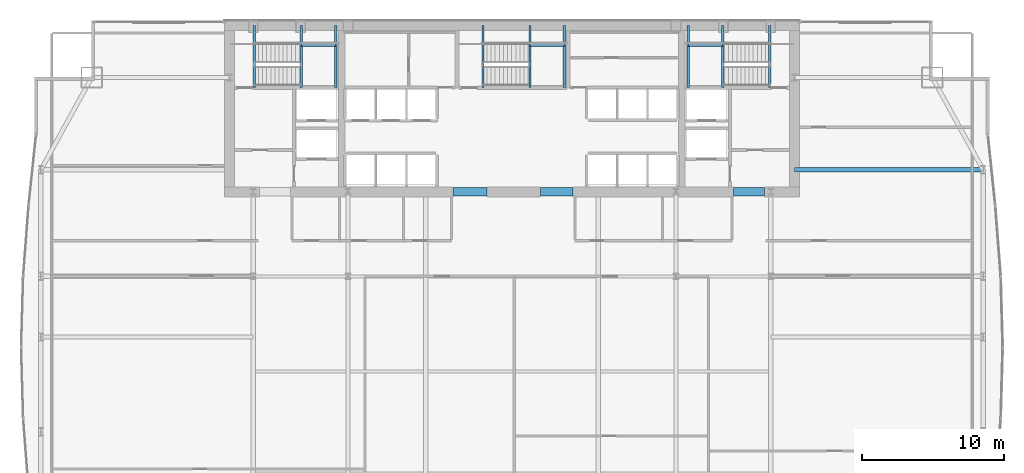
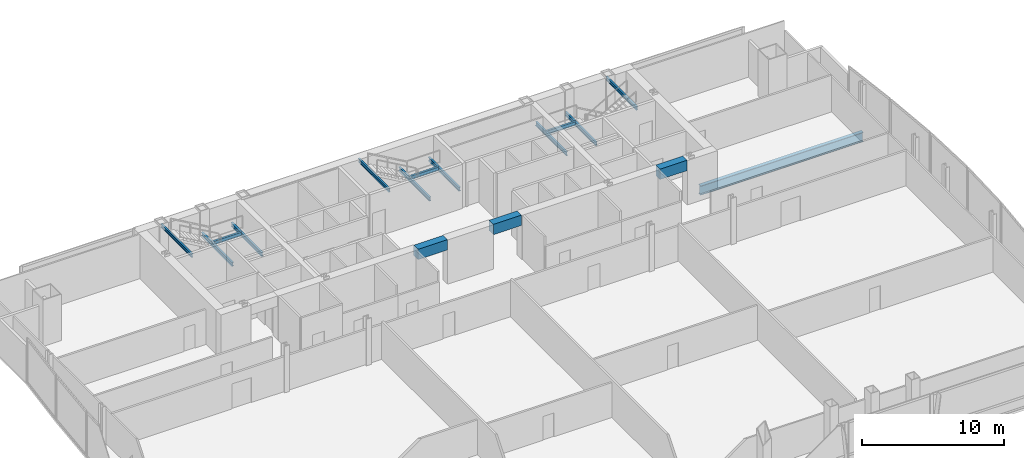
# One storey, part 19 of 30: 16 beams.
"""IFC4 building model written with IfcOpenShell, lengths in metres."""

from ifc_helpers import new_model, si_unit, direction, frame, origin, origin_2d, place, context, subcontext, project, spatial, rectangle, i_section, extrude, material, material_profile, profile_set, type_object, element, save


model = new_model("IFC4")

# Units and contexts
model_context = context("Model", 3, precision=1e-05, world=origin(), true_north=direction((0.0, 1.0)))
body_context = subcontext(model_context, "Body", "Model", "MODEL_VIEW")
ifc_project = project(units=[si_unit("LENGTHUNIT", "METRE"), si_unit("AREAUNIT", "SQUARE_METRE"), si_unit("VOLUMEUNIT", "CUBIC_METRE"), si_unit("PLANEANGLEUNIT", "RADIAN"), si_unit("MASSUNIT", "GRAM", prefix="KILO")], contexts=[model_context])

# Site, building, storey
site_placement = place(None, origin())
site = spatial("IfcSite", under=ifc_project, at=site_placement, CompositionType="ELEMENT")
building_placement = place(site_placement, origin())
building = spatial("IfcBuilding", under=site, at=building_placement, Name="Khoronbel Lancet Exchange", CompositionType="ELEMENT")
storey_placement = place(building_placement, frame((0.0, 0.0, 98.60009765625)))
storey = spatial("IfcBuildingStorey", under=building, at=storey_placement, Name="L23", CompositionType="ELEMENT", Elevation=98.60009765625)

# Beams
ifc_material_1 = material(Name="Steel S355", Category="steel")
ifc_material_profile_1 = material_profile(ifc_material_1, i_section(OverallWidth=0.300048828125, OverallDepth=0.800048828125, WebThickness=0.017578125, FlangeThickness=0.032958984375, at=origin_2d()), Name="HEB 800")
ifc_profile_set_1 = profile_set([ifc_material_profile_1], Name="Steel S355")
beam_type_1 = type_object("IfcBeamType", Name="BM-BG2", PredefinedType="BEAM", material=ifc_profile_set_1)
beam_1_placement = place(storey_placement, frame((56.35009765625, 43.199951171875, -0.580078125), z_axis=(1.0, 0.0, 0.0), x_axis=(0.0, 1.0, 0.0)))
element("IfcBeam", 1, at=beam_1_placement, inside=storey, type_object=beam_type_1, Name="Level L23 east lens tie girder LG3E", PredefinedType="BEAM", context=body_context, shape_type="SweptSolid", body=[
    extrude(i_section(OverallWidth=0.300048828125, OverallDepth=0.800048828125, WebThickness=0.017578125, FlangeThickness=0.032958984375, at=origin_2d()), origin(), (0.0, 0.0, 1.0), 13.27978515625),
])
ifc_material_profile_2 = material_profile(ifc_material_1, i_section(OverallWidth=0.159912109375, OverallDepth=0.330078125, WebThickness=0.007568359375, FlangeThickness=0.011474609375, at=origin_2d()), Name="IPE 330")
ifc_profile_set_2 = profile_set([ifc_material_profile_2], Name="Steel S355")
beam_type_2 = type_object("IfcBeamType", Name="BM-BJ7", PredefinedType="JOIST", material=ifc_profile_set_2)
for number, where, z_axis, x_axis, name in (
    (2, (21.610107421875, 48.97998046875, 1.635009765625), (0.0, 1.0, 0.0), (-1.0, 0.0, 0.0), "Level L23 stair ST1 landing bearer beam 1"),
    (3, (24.030029296875, 48.97998046875, 1.635009765625), (0.0, 1.0, 0.0), (-1.0, 0.0, 0.0), "Level L23 stair ST1 rear landing bearer beam 1"),
):
    element("IfcBeam", number, at=place(storey_placement, frame(where, z_axis=z_axis, x_axis=x_axis)), inside=storey, type_object=beam_type_2, Name=name, PredefinedType="JOIST", context=body_context, shape_type="SweptSolid", body=[
        extrude(i_section(OverallWidth=0.159912109375, OverallDepth=0.330078125, WebThickness=0.007568359375, FlangeThickness=0.011474609375, at=origin_2d()), origin(), (0.0, 0.0, 1.0), 4.3701171875),
    ])
beam_2_placement = place(storey_placement, frame((21.610107421875, 51.97998046875, 1.635009765625), z_axis=(1.0, 0.0, 0.0), x_axis=(0.0, 1.0, 0.0)))
element("IfcBeam", 4, at=beam_2_placement, inside=storey, type_object=beam_type_2, Name="Level L23 stair ST1 landing cross trimmer beam 1", PredefinedType="JOIST", context=body_context, shape_type="SweptSolid", body=[
    extrude(i_section(OverallWidth=0.159912109375, OverallDepth=0.330078125, WebThickness=0.007568359375, FlangeThickness=0.011474609375, at=origin_2d()), origin(), (0.0, 0.0, 1.0), 2.419921875),
])
for number, where, z_axis, x_axis, name in (
    (5, (51.2900390625, 48.97998046875, 1.635009765625), (0.0, 1.0, 0.0), (-1.0, 0.0, 0.0), "Level L23 stair ST2 landing bearer beam 1"),
    (6, (48.8701171875, 48.97998046875, 1.635009765625), (0.0, 1.0, 0.0), (-1.0, 0.0, 0.0), "Level L23 stair ST2 rear landing bearer beam 1"),
):
    element("IfcBeam", number, at=place(storey_placement, frame(where, z_axis=z_axis, x_axis=x_axis)), inside=storey, type_object=beam_type_2, Name=name, PredefinedType="JOIST", context=body_context, shape_type="SweptSolid", body=[
        extrude(i_section(OverallWidth=0.159912109375, OverallDepth=0.330078125, WebThickness=0.007568359375, FlangeThickness=0.011474609375, at=origin_2d()), origin(), (0.0, 0.0, 1.0), 4.3701171875),
    ])
beam_3_placement = place(storey_placement, frame((48.8701171875, 51.97998046875, 1.635009765625), z_axis=(1.0, 0.0, 0.0), x_axis=(0.0, 1.0, 0.0)))
element("IfcBeam", 7, at=beam_3_placement, inside=storey, type_object=beam_type_2, Name="Level L23 stair ST2 landing cross trimmer beam 1", PredefinedType="JOIST", context=body_context, shape_type="SweptSolid", body=[
    extrude(i_section(OverallWidth=0.159912109375, OverallDepth=0.330078125, WebThickness=0.007568359375, FlangeThickness=0.011474609375, at=origin_2d()), origin(), (0.0, 0.0, 1.0), 2.419921875),
])
for number, where, z_axis, x_axis, name in (
    (8, (37.7099609375, 48.97998046875, 1.635009765625), (0.0, 1.0, 0.0), (-1.0, 0.0, 0.0), "Level L23 stair ST3 landing bearer beam 1"),
    (9, (40.1298828125, 48.97998046875, 1.635009765625), (0.0, 1.0, 0.0), (-1.0, 0.0, 0.0), "Level L23 stair ST3 rear landing bearer beam 1"),
):
    element("IfcBeam", number, at=place(storey_placement, frame(where, z_axis=z_axis, x_axis=x_axis)), inside=storey, type_object=beam_type_2, Name=name, PredefinedType="JOIST", context=body_context, shape_type="SweptSolid", body=[
        extrude(i_section(OverallWidth=0.159912109375, OverallDepth=0.330078125, WebThickness=0.007568359375, FlangeThickness=0.011474609375, at=origin_2d()), origin(), (0.0, 0.0, 1.0), 4.3701171875),
    ])
beam_4_placement = place(storey_placement, frame((37.7099609375, 51.97998046875, 1.635009765625), z_axis=(1.0, 0.0, 0.0), x_axis=(0.0, 1.0, 0.0)))
element("IfcBeam", 10, at=beam_4_placement, inside=storey, type_object=beam_type_2, Name="Level L23 stair ST3 landing cross trimmer beam 1", PredefinedType="JOIST", context=body_context, shape_type="SweptSolid", body=[
    extrude(i_section(OverallWidth=0.159912109375, OverallDepth=0.330078125, WebThickness=0.007568359375, FlangeThickness=0.011474609375, at=origin_2d()), origin(), (0.0, 0.0, 1.0), 2.419921875),
])
ifc_material_profile_3 = material_profile(ifc_material_1, i_section(OverallWidth=0.14990234375, OverallDepth=0.300048828125, WebThickness=0.007080078125, FlangeThickness=0.0107421875, at=origin_2d()), Name="IPE 300")
ifc_profile_set_3 = profile_set([ifc_material_profile_3], Name="Steel S355")
beam_type_3 = type_object("IfcBeamType", Name="BM-BJ8", PredefinedType="JOIST", material=ifc_profile_set_3)
for number, where, z_axis, x_axis, name in (
    (11, (18.300048828125, 48.97998046875, 3.539794921875), (0.0, 1.0, 0.0), (-1.0, 0.0, 0.0), "Level L23 stair ST1 upper-flight arrival trimmer beam"),
    (12, (54.60009765625, 48.97998046875, 3.539794921875), (0.0, 1.0, 0.0), (-1.0, 0.0, 0.0), "Level L23 stair ST2 upper-flight arrival trimmer beam"),
    (13, (34.39990234375, 48.97998046875, 3.539794921875), (0.0, 1.0, 0.0), (-1.0, 0.0, 0.0), "Level L23 stair ST3 upper-flight arrival trimmer beam"),
):
    element("IfcBeam", number, at=place(storey_placement, frame(where, z_axis=z_axis, x_axis=x_axis)), inside=storey, type_object=beam_type_3, Name=name, PredefinedType="JOIST", context=body_context, shape_type="SweptSolid", body=[
        extrude(i_section(OverallWidth=0.14990234375, OverallDepth=0.300048828125, WebThickness=0.007080078125, FlangeThickness=0.0107421875, at=origin_2d()), origin(), (0.0, 0.0, 1.0), 4.3701171875),
    ])
ifc_material_2 = material(Name="Concrete C80/95", Category="concrete")
ifc_material_profile_4 = material_profile(ifc_material_2, rectangle(XDim=0.60009765625, YDim=0.89990234375, at=origin_2d()), Name="RC 600x900")
ifc_profile_set_4 = profile_set([ifc_material_profile_4], Name="Concrete C80/95")
beam_type_4 = type_object("IfcBeamType", Name="BM-BL1", PredefinedType="LINTEL", material=ifc_profile_set_4)
beam_5_placement = place(storey_placement, frame((32.300048828125, 41.64990234375, 3.369873046875), z_axis=(1.0, 0.0, 0.0), x_axis=(0.0, 1.0, 0.0)))
element("IfcBeam", 14, at=beam_5_placement, inside=storey, type_object=beam_type_4, Name="Level L23 rear core coupling lintel L2", PredefinedType="LINTEL", context=body_context, shape_type="SweptSolid", body=[
    extrude(rectangle(XDim=0.60009765625, YDim=0.89990234375, at=origin_2d()), origin(), (0.0, 0.0, 1.0), 2.39990234375),
])
beam_6_placement = place(storey_placement, frame((38.449951171875, 41.64990234375, 3.369873046875), z_axis=(1.0, 0.0, 0.0), x_axis=(0.0, 1.0, 0.0)))
element("IfcBeam", 15, at=beam_6_placement, inside=storey, type_object=beam_type_4, Name="Level L23 rear core coupling lintel L3", PredefinedType="LINTEL", context=body_context, shape_type="SweptSolid", body=[
    extrude(rectangle(XDim=0.60009765625, YDim=0.89990234375, at=origin_2d()), origin(), (0.0, 0.0, 1.0), 2.300048828125),
])
beam_7_placement = place(storey_placement, frame((52.050048828125, 41.64990234375, 3.369873046875), z_axis=(1.0, 0.0, 0.0), x_axis=(0.0, 1.0, 0.0)))
element("IfcBeam", 16, at=beam_7_placement, inside=storey, type_object=beam_type_4, Name="Level L23 rear core coupling lintel L4", PredefinedType="LINTEL", context=body_context, shape_type="SweptSolid", body=[
    extrude(rectangle(XDim=0.60009765625, YDim=0.89990234375, at=origin_2d()), origin(), (0.0, 0.0, 1.0), 2.199951171875),
])

save(model, "model.ifc")
